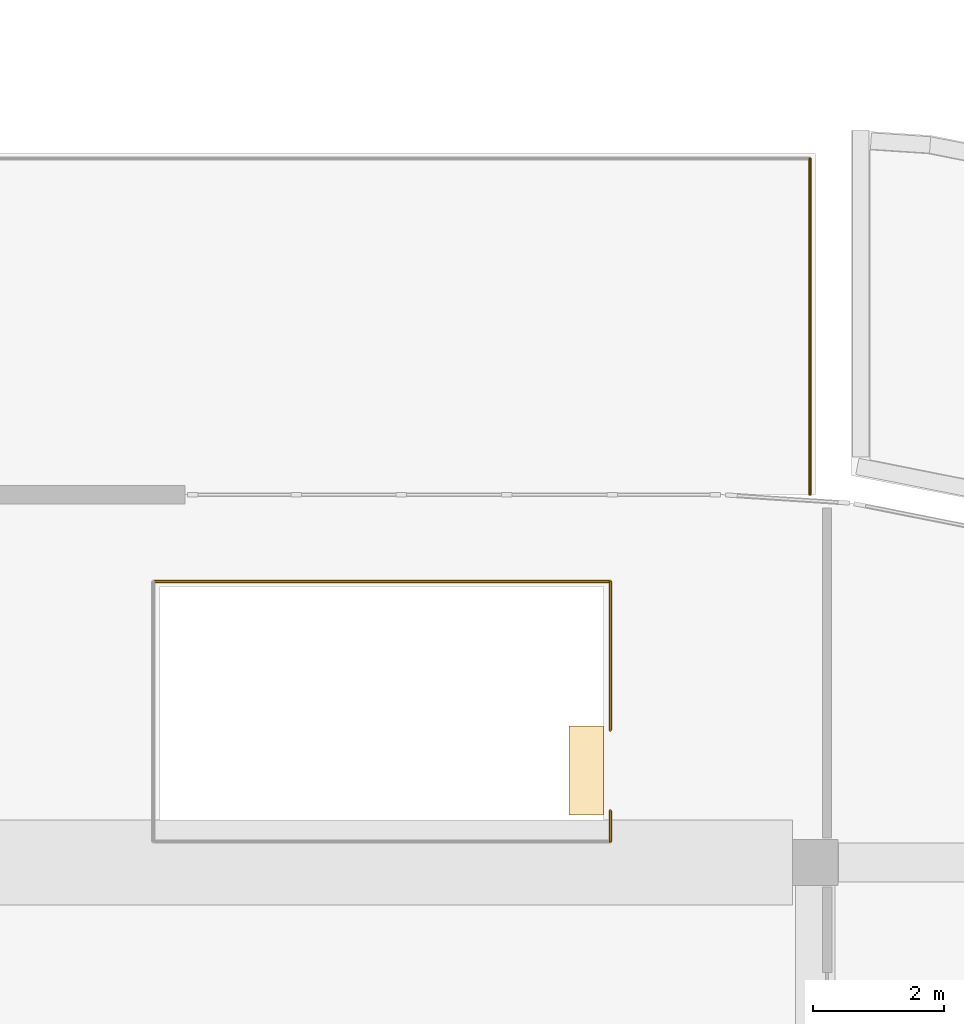
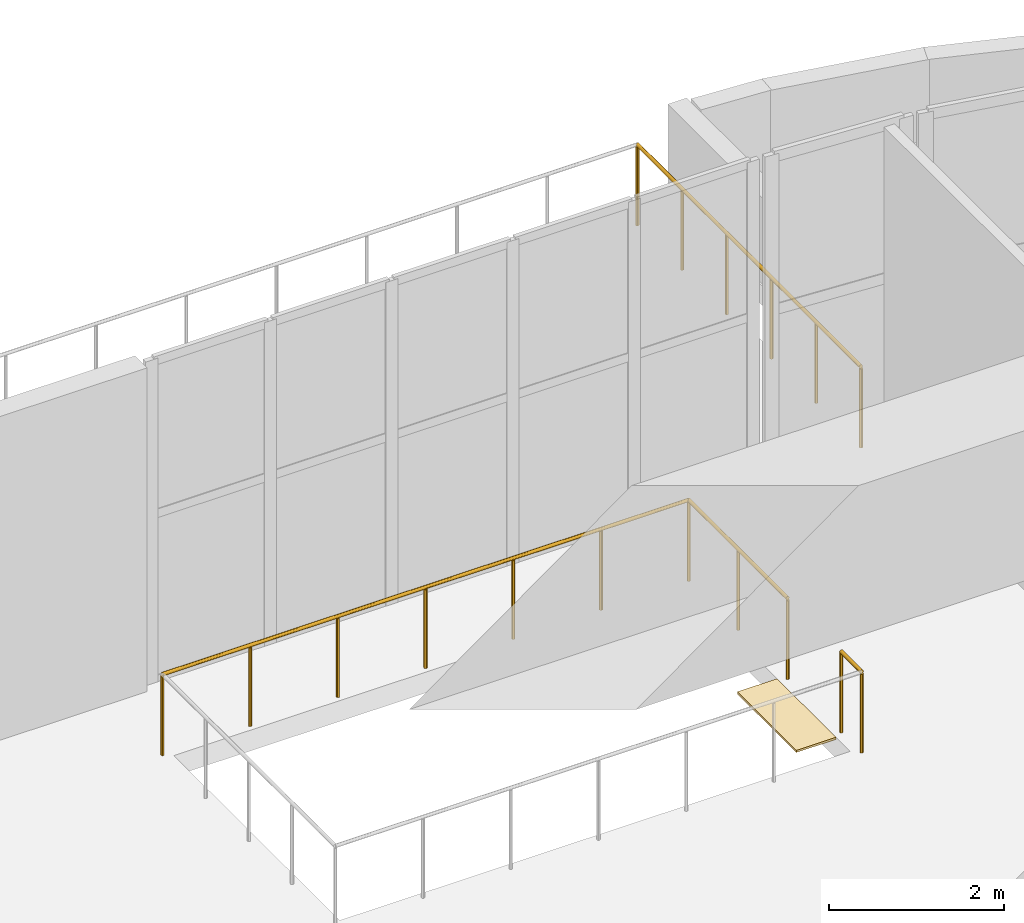
# One storey, part 22 of 23: 4 railings, 1 covering.
"""IFC4 building model written with IfcOpenShell, lengths in metres."""

from ifc_helpers import new_model, si_unit, direction, frame, origin, origin_2d, place, context, subcontext, project, spatial, polyline, circle, outline, extrude, material, layer, layer_set, type_object, element, save


model = new_model("IFC4")

# Units and contexts
model_context = context("Model", 3, precision=1e-05, world=origin(), true_north=direction((0.0, 1.0)))
body_context = subcontext(model_context, "Body", "Model", "MODEL_VIEW")
ifc_project = project(units=[si_unit("LENGTHUNIT", "METRE"), si_unit("AREAUNIT", "SQUARE_METRE"), si_unit("VOLUMEUNIT", "CUBIC_METRE"), si_unit("PLANEANGLEUNIT", "RADIAN"), si_unit("MASSUNIT", "GRAM", prefix="KILO")], contexts=[model_context])

# Site, building, storey
site_placement = place(None, origin())
site = spatial("IfcSite", under=ifc_project, at=site_placement, CompositionType="ELEMENT")
building_placement = place(site_placement, origin())
building = spatial("IfcBuilding", under=site, at=building_placement, Name="Cendralis Terraced Arcade", CompositionType="ELEMENT")
storey_placement = place(building_placement, frame((0.0, 0.0, 29.39990234375)))
storey = spatial("IfcBuildingStorey", under=building, at=storey_placement, Name="L06", CompositionType="ELEMENT", Elevation=29.39990234375)

# Covering
ifc_material_1 = material(Name="Polished Bogota limestone terrazzo flooring", Category="masonry")
ifc_layer = layer(ifc_material_1, 0.030029296875, Name="COV-FLR-TERZ-30")
ifc_layer_set = layer_set([ifc_layer], Name="Polished Bogota limestone terrazzo flooring")
covering_type = type_object("IfcCoveringType", Name="COV-FLR-TERZ-30", PredefinedType="FLOORING", material=ifc_layer_set)
covering_placement = place(storey_placement, frame((0.0, 0.0, -0.02978515625)))
element("IfcCovering", 1, at=covering_placement, inside=storey, type_object=covering_type, Name="Escalator Landing Comb-Plate Finish L06-11", PredefinedType="FLOORING", context=body_context, shape_type="SweptSolid", body=[
    extrude(outline(polyline([(44.25, 39.125), (44.77490234375, 39.125), (44.77490234375, 40.47509765625), (44.25, 40.47509765625), (44.25, 39.125)])), origin(), (0.0, 0.0, 1.0), 0.02978515625),
])

# Railings
ifc_material_2 = material(Name="Brushed stainless steel AISI 316", Category="steel")
railing_type_1 = type_object("IfcRailingType", Name="RL-TER-GUARD-1150", PredefinedType="GUARDRAIL", material=ifc_material_2)
railing_1_placement = place(storey_placement, frame((47.919921875, 49.1201171875, 0.0)))
element("IfcRailing", 2, at=railing_1_placement, inside=storey, type_object=railing_type_1, Name="Planted Terrace Perimeter Guardrail GR-TER-L06-023", PredefinedType="GUARDRAIL", context=body_context, shape_type="SweptSolid", body=[
    extrude(circle(Radius=0.02392578125, at=origin_2d()), frame((0.0, 0.0, 1.1259765625), z_axis=(0.0, -1.0, 0.0), x_axis=(1.0, 0.0, 0.0)), (0.0, 0.0, 1.0), 5.1201171875),
    extrude(circle(Radius=0.02099609375, at=origin_2d()), origin(), (0.0, 0.0, 1.0), 1.101806640625),
    extrude(circle(Radius=0.02099609375, at=origin_2d()), frame((0.0, -1.02392578125, 0.0)), (0.0, 0.0, 1.0), 1.101806640625),
    extrude(circle(Radius=0.02099609375, at=origin_2d()), frame((0.0, -2.048095703125, 0.0)), (0.0, 0.0, 1.0), 1.101806640625),
    extrude(circle(Radius=0.02099609375, at=origin_2d()), frame((0.0, -3.072021484375, 0.0)), (0.0, 0.0, 1.0), 1.101806640625),
    extrude(circle(Radius=0.02099609375, at=origin_2d()), frame((0.0, -4.09619140625, 0.0)), (0.0, 0.0, 1.0), 1.101806640625),
    extrude(circle(Radius=0.02099609375, at=origin_2d()), frame((0.0, -5.1201171875, 0.0)), (0.0, 0.0, 1.0), 1.101806640625),
])
railing_type_2 = type_object("IfcRailingType", Name="RL-VOID-BAL-1150", PredefinedType="BALUSTRADE", material=ifc_material_2)
railing_2_placement = place(storey_placement, frame((37.919921875, 42.679931640625, 0.0)))
element("IfcRailing", 3, at=railing_2_placement, inside=storey, type_object=railing_type_2, Name="Escalator Well Deck-Edge Balustrade L06-033", PredefinedType="BALUSTRADE", context=body_context, shape_type="SweptSolid", body=[
    extrude(circle(Radius=0.02392578125, at=origin_2d()), frame((0.0, 0.0, 1.1259765625), z_axis=(1.0, 0.0, 0.0), x_axis=(0.0, 1.0, 0.0)), (0.0, 0.0, 1.0), 6.9599609375),
    extrude(circle(Radius=0.02099609375, at=origin_2d()), origin(), (0.0, 0.0, 1.0), 1.101806640625),
    extrude(circle(Radius=0.02099609375, at=origin_2d()), frame((1.159912109375, 0.0, 0.0)), (0.0, 0.0, 1.0), 1.101806640625),
    extrude(circle(Radius=0.02099609375, at=origin_2d()), frame((2.320068359375, 0.0, 0.0)), (0.0, 0.0, 1.0), 1.101806640625),
    extrude(circle(Radius=0.02099609375, at=origin_2d()), frame((3.47998046875, 0.0, 0.0)), (0.0, 0.0, 1.0), 1.101806640625),
    extrude(circle(Radius=0.02099609375, at=origin_2d()), frame((4.639892578125, 0.0, 0.0)), (0.0, 0.0, 1.0), 1.101806640625),
    extrude(circle(Radius=0.02099609375, at=origin_2d()), frame((5.800048828125, 0.0, 0.0)), (0.0, 0.0, 1.0), 1.101806640625),
    extrude(circle(Radius=0.02099609375, at=origin_2d()), frame((6.9599609375, 0.0, 0.0)), (0.0, 0.0, 1.0), 1.101806640625),
])
railing_3_placement = place(storey_placement, frame((44.8798828125, 38.719970703125, 0.0)))
element("IfcRailing", 4, at=railing_3_placement, inside=storey, type_object=railing_type_2, Name="Escalator Well Deck-Edge Balustrade L06-034", PredefinedType="BALUSTRADE", context=body_context, shape_type="SweptSolid", body=[
    extrude(circle(Radius=0.02392578125, at=origin_2d()), frame((0.0, 0.0, 1.1259765625), z_axis=(0.0, 1.0, 0.0), x_axis=(-1.0, 0.0, 0.0)), (0.0, 0.0, 1.0), 0.465087890625),
    extrude(circle(Radius=0.02099609375, at=origin_2d()), origin(), (0.0, 0.0, 1.0), 1.101806640625),
    extrude(circle(Radius=0.02099609375, at=origin_2d()), frame((0.0, 0.465087890625, 0.0)), (0.0, 0.0, 1.0), 1.101806640625),
])
railing_4_placement = place(storey_placement, frame((44.8798828125, 40.4150390625, 0.0)))
element("IfcRailing", 5, at=railing_4_placement, inside=storey, type_object=railing_type_2, Name="Escalator Well Deck-Edge Balustrade L06-035", PredefinedType="BALUSTRADE", context=body_context, shape_type="SweptSolid", body=[
    extrude(circle(Radius=0.02392578125, at=origin_2d()), frame((0.0, 0.0, 1.1259765625), z_axis=(0.0, 1.0, 0.0), x_axis=(-1.0, 0.0, 0.0)), (0.0, 0.0, 1.0), 2.264892578125),
    extrude(circle(Radius=0.02099609375, at=origin_2d()), origin(), (0.0, 0.0, 1.0), 1.101806640625),
    extrude(circle(Radius=0.02099609375, at=origin_2d()), frame((0.0, 1.13232421875, 0.0)), (0.0, 0.0, 1.0), 1.101806640625),
    extrude(circle(Radius=0.02099609375, at=origin_2d()), frame((0.0, 2.264892578125, 0.0)), (0.0, 0.0, 1.0), 1.101806640625),
])

save(model, "model.ifc")
